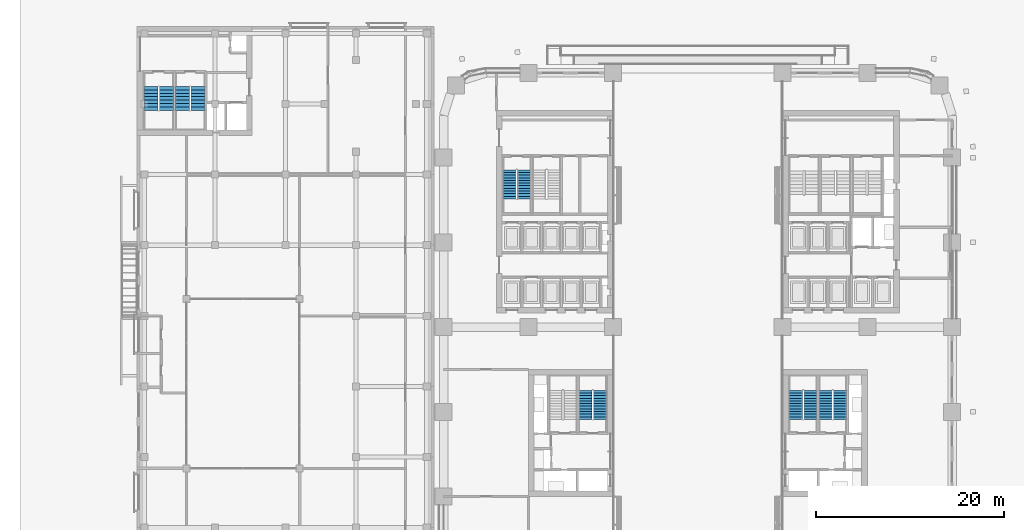
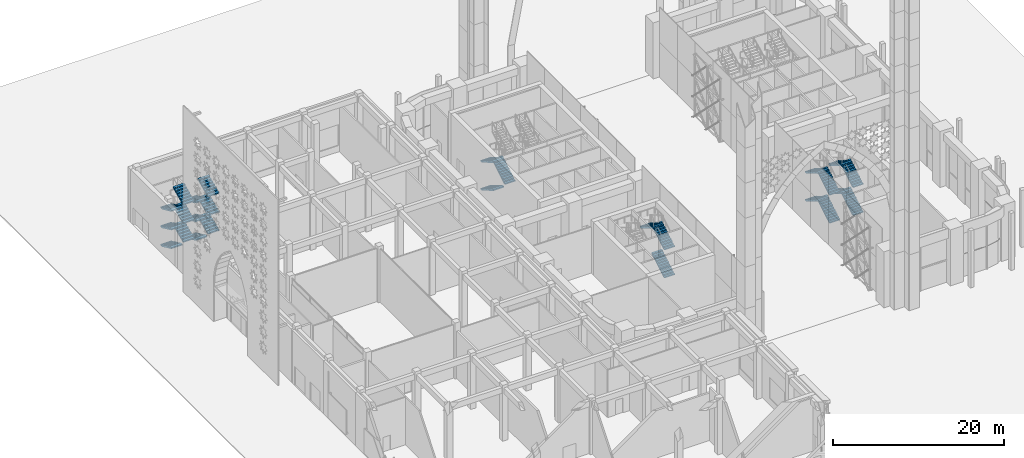
# One storey, part 39 of 64: 26 stair flights, 6 elements without a shape of their own.
"""IFC4 building model written with IfcOpenShell, lengths in metres."""

from ifc_helpers import new_model, si_unit, direction, frame, origin, place, context, subcontext, project, spatial, polyline, outline, extrude, material, type_object, element, aggregate, save


model = new_model("IFC4")

# Units and contexts
model_context = context("Model", 3, precision=1e-05, world=origin(), true_north=direction((0.0, 1.0)))
body_context = subcontext(model_context, "Body", "Model", "MODEL_VIEW")
ifc_project = project(units=[si_unit("LENGTHUNIT", "METRE"), si_unit("AREAUNIT", "SQUARE_METRE"), si_unit("VOLUMEUNIT", "CUBIC_METRE"), si_unit("PLANEANGLEUNIT", "RADIAN"), si_unit("MASSUNIT", "GRAM", prefix="KILO")], contexts=[model_context])

# Site, building, storey
site_placement = place(None, origin())
site = spatial("IfcSite", under=ifc_project, at=site_placement, CompositionType="ELEMENT")
building_placement = place(site_placement, origin())
building = spatial("IfcBuilding", under=site, at=building_placement, Name="Tessera Arch", CompositionType="ELEMENT")
storey_placement = place(building_placement, origin())
storey = spatial("IfcBuildingStorey", under=building, at=storey_placement, Name="L00", CompositionType="ELEMENT", Elevation=0.0)

# Stair, stair flights
ifc_material_1 = material(Name="Concrete C40/50", Category="concrete")
stair_type_1 = type_object("IfcStairType", Name="Dogleg stair 1400", PredefinedType="HALF_TURN_STAIR", material=ifc_material_1)
stair_1_placement = place(storey_placement, origin())
stair_1 = element("IfcStair", 1, at=stair_1_placement, inside=storey, type_object=stair_type_1, Name="L00 S2a", PredefinedType="HALF_TURN_STAIR")
ifc_material_2 = material(Name="Concrete C40/50", Category="concrete")
stair_flight_type_1 = type_object("IfcStairFlightType", Name="Stair flight 1400", PredefinedType="STRAIGHT", material=ifc_material_2)
stair_flight_1_placement = place(storey_placement, frame((7.0, 43.699951171875, 0.0), z_axis=(0.0, 0.0, 1.0), x_axis=(0.0, -1.0, 0.0)))
stair_flight_1 = element("IfcStairFlight", 2, at=stair_flight_1_placement, type_object=stair_flight_type_1, Name="S2a flight 1", NumberOfRisers=12, NumberOfTreads=11, PredefinedType="STRAIGHT", RiserHeight=0.166666667, TreadLength=0.28, context=body_context, shape_type="SweptSolid", body=[
    extrude(outline(polyline([(0.0, 0.0), (0.0, 0.166748046875), (0.280029296875, 0.166748046875), (0.280029296875, 0.333251953125), (0.56005859375, 0.333251953125), (0.56005859375, 0.5), (0.840087890625, 0.5), (0.840087890625, 0.666748046875), (1.1201171875, 0.666748046875), (1.1201171875, 0.833251953125), (1.39990234375, 0.833251953125), (1.39990234375, 1.0), (1.679931640625, 1.0), (1.679931640625, 1.166748046875), (1.9599609375, 1.166748046875), (1.9599609375, 1.333251953125), (2.239990234375, 1.333251953125), (2.239990234375, 1.5), (2.52001953125, 1.5), (2.52001953125, 1.666748046875), (2.800048828125, 1.666748046875), (2.800048828125, 1.833251953125), (3.080078125, 1.833251953125), (3.080078125, 2.0), (3.080078125, 1.658935546875), (0.29296875, 0.0), (0.0, 0.0)])), frame((0.0, 0.699951171875, 0.0), z_axis=(0.0, -1.0, 0.0), x_axis=(1.0, 0.0, 0.0)), (0.0, 0.0, 1.0), 1.39990234375),
])
stair_flight_2_placement = place(storey_placement, frame((8.550048828125, 40.6201171875, 2.0), z_axis=(0.0, 0.0, 1.0), x_axis=(0.0, 1.0, 0.0)))
stair_flight_2 = element("IfcStairFlight", 3, at=stair_flight_2_placement, type_object=stair_flight_type_1, Name="S2a flight 2", NumberOfRisers=12, NumberOfTreads=11, PredefinedType="STRAIGHT", RiserHeight=0.166666667, TreadLength=0.28, context=body_context, shape_type="SweptSolid", body=[
    extrude(outline(polyline([(0.0, 0.0), (0.0, 0.166748046875), (0.280029296875, 0.166748046875), (0.280029296875, 0.333251953125), (0.56005859375, 0.333251953125), (0.56005859375, 0.5), (0.840087890625, 0.5), (0.840087890625, 0.666748046875), (1.1201171875, 0.666748046875), (1.1201171875, 0.833251953125), (1.39990234375, 0.833251953125), (1.39990234375, 1.0), (1.679931640625, 1.0), (1.679931640625, 1.166748046875), (1.9599609375, 1.166748046875), (1.9599609375, 1.333251953125), (2.239990234375, 1.333251953125), (2.239990234375, 1.5), (2.52001953125, 1.5), (2.52001953125, 1.666748046875), (2.800048828125, 1.666748046875), (2.800048828125, 1.833251953125), (3.080078125, 1.833251953125), (3.080078125, 2.0), (3.080078125, 1.658935546875), (0.29296875, 0.0), (0.0, 0.0)])), frame((0.0, 0.699951171875, 0.0), z_axis=(0.0, -1.0, 0.0), x_axis=(1.0, 0.0, 0.0)), (0.0, 0.0, 1.0), 1.39990234375),
])
stair_flight_3_placement = place(storey_placement, frame((7.0, 43.699951171875, 4.0), z_axis=(0.0, 0.0, 1.0), x_axis=(0.0, -1.0, 0.0)))
stair_flight_3 = element("IfcStairFlight", 4, at=stair_flight_3_placement, type_object=stair_flight_type_1, Name="S2a flight 3", NumberOfRisers=12, NumberOfTreads=11, PredefinedType="STRAIGHT", RiserHeight=0.166666667, TreadLength=0.28, context=body_context, shape_type="SweptSolid", body=[
    extrude(outline(polyline([(0.0, 0.0), (0.0, 0.166748046875), (0.280029296875, 0.166748046875), (0.280029296875, 0.333251953125), (0.56005859375, 0.333251953125), (0.56005859375, 0.5), (0.840087890625, 0.5), (0.840087890625, 0.666748046875), (1.1201171875, 0.666748046875), (1.1201171875, 0.833251953125), (1.39990234375, 0.833251953125), (1.39990234375, 1.0), (1.679931640625, 1.0), (1.679931640625, 1.166748046875), (1.9599609375, 1.166748046875), (1.9599609375, 1.333251953125), (2.239990234375, 1.333251953125), (2.239990234375, 1.5), (2.52001953125, 1.5), (2.52001953125, 1.666748046875), (2.800048828125, 1.666748046875), (2.800048828125, 1.833251953125), (3.080078125, 1.833251953125), (3.080078125, 2.0), (3.080078125, 1.658935546875), (0.29296875, 0.0), (0.0, 0.0)])), frame((0.0, 0.699951171875, 0.0), z_axis=(0.0, -1.0, 0.0), x_axis=(1.0, 0.0, 0.0)), (0.0, 0.0, 1.0), 1.39990234375),
])
aggregate(stair_1, [stair_flight_1, stair_flight_2, stair_flight_3])

stair_2_placement = place(storey_placement, origin())
stair_2 = element("IfcStair", 5, at=stair_2_placement, inside=storey, type_object=stair_type_1, Name="L00 S3a", PredefinedType="HALF_TURN_STAIR")
stair_flight_4_placement = place(storey_placement, frame((38.949951171875, 17.199951171875, 0.0), z_axis=(0.0, 0.0, 1.0), x_axis=(0.0, 1.0, 0.0)))
stair_flight_4 = element("IfcStairFlight", 6, at=stair_flight_4_placement, type_object=stair_flight_type_1, Name="S3a flight 1", NumberOfRisers=12, NumberOfTreads=11, PredefinedType="STRAIGHT", RiserHeight=0.166666667, TreadLength=0.28, context=body_context, shape_type="SweptSolid", body=[
    extrude(outline(polyline([(0.0, 0.0), (0.0, 0.166748046875), (0.280029296875, 0.166748046875), (0.280029296875, 0.333251953125), (0.56005859375, 0.333251953125), (0.56005859375, 0.5), (0.840087890625, 0.5), (0.840087890625, 0.666748046875), (1.1201171875, 0.666748046875), (1.1201171875, 0.833251953125), (1.39990234375, 0.833251953125), (1.39990234375, 1.0), (1.679931640625, 1.0), (1.679931640625, 1.166748046875), (1.9599609375, 1.166748046875), (1.9599609375, 1.333251953125), (2.239990234375, 1.333251953125), (2.239990234375, 1.5), (2.52001953125, 1.5), (2.52001953125, 1.666748046875), (2.800048828125, 1.666748046875), (2.800048828125, 1.833251953125), (3.080078125, 1.833251953125), (3.080078125, 2.0), (3.080078125, 1.658935546875), (0.29296875, 0.0), (0.0, 0.0)])), frame((0.0, 0.699951171875, 0.0), z_axis=(0.0, -1.0, 0.0), x_axis=(1.0, 0.0, 0.0)), (0.0, 0.0, 1.0), 1.39990234375),
])
stair_flight_5_placement = place(storey_placement, frame((37.39990234375, 20.280029296875, 2.0), z_axis=(0.0, 0.0, 1.0), x_axis=(0.0, -1.0, 0.0)))
stair_flight_5 = element("IfcStairFlight", 7, at=stair_flight_5_placement, type_object=stair_flight_type_1, Name="S3a flight 2", NumberOfRisers=12, NumberOfTreads=11, PredefinedType="STRAIGHT", RiserHeight=0.166666667, TreadLength=0.28, context=body_context, shape_type="SweptSolid", body=[
    extrude(outline(polyline([(0.0, 0.0), (0.0, 0.166748046875), (0.280029296875, 0.166748046875), (0.280029296875, 0.333251953125), (0.56005859375, 0.333251953125), (0.56005859375, 0.5), (0.840087890625, 0.5), (0.840087890625, 0.666748046875), (1.1201171875, 0.666748046875), (1.1201171875, 0.833251953125), (1.39990234375, 0.833251953125), (1.39990234375, 1.0), (1.679931640625, 1.0), (1.679931640625, 1.166748046875), (1.9599609375, 1.166748046875), (1.9599609375, 1.333251953125), (2.239990234375, 1.333251953125), (2.239990234375, 1.5), (2.52001953125, 1.5), (2.52001953125, 1.666748046875), (2.800048828125, 1.666748046875), (2.800048828125, 1.833251953125), (3.080078125, 1.833251953125), (3.080078125, 2.0), (3.080078125, 1.658935546875), (0.29296875, 0.0), (0.0, 0.0)])), frame((0.0, 0.699951171875, 0.0), z_axis=(0.0, -1.0, 0.0), x_axis=(1.0, 0.0, 0.0)), (0.0, 0.0, 1.0), 1.39990234375),
])
stair_flight_6_placement = place(storey_placement, frame((38.949951171875, 17.199951171875, 4.0), z_axis=(0.0, 0.0, 1.0), x_axis=(0.0, 1.0, 0.0)))
stair_flight_6 = element("IfcStairFlight", 8, at=stair_flight_6_placement, type_object=stair_flight_type_1, Name="S3a flight 3", NumberOfRisers=12, NumberOfTreads=11, PredefinedType="STRAIGHT", RiserHeight=0.166666667, TreadLength=0.28, context=body_context, shape_type="SweptSolid", body=[
    extrude(outline(polyline([(0.0, 0.0), (0.0, 0.166748046875), (0.280029296875, 0.166748046875), (0.280029296875, 0.333251953125), (0.56005859375, 0.333251953125), (0.56005859375, 0.5), (0.840087890625, 0.5), (0.840087890625, 0.666748046875), (1.1201171875, 0.666748046875), (1.1201171875, 0.833251953125), (1.39990234375, 0.833251953125), (1.39990234375, 1.0), (1.679931640625, 1.0), (1.679931640625, 1.166748046875), (1.9599609375, 1.166748046875), (1.9599609375, 1.333251953125), (2.239990234375, 1.333251953125), (2.239990234375, 1.5), (2.52001953125, 1.5), (2.52001953125, 1.666748046875), (2.800048828125, 1.666748046875), (2.800048828125, 1.833251953125), (3.080078125, 1.833251953125), (3.080078125, 2.0), (3.080078125, 1.658935546875), (0.29296875, 0.0), (0.0, 0.0)])), frame((0.0, 0.699951171875, 0.0), z_axis=(0.0, -1.0, 0.0), x_axis=(1.0, 0.0, 0.0)), (0.0, 0.0, 1.0), 1.39990234375),
])
stair_flight_7_placement = place(storey_placement, frame((37.39990234375, 20.280029296875, 6.0), z_axis=(0.0, 0.0, 1.0), x_axis=(0.0, -1.0, 0.0)))
stair_flight_7 = element("IfcStairFlight", 9, at=stair_flight_7_placement, type_object=stair_flight_type_1, Name="S3a flight 4", NumberOfRisers=12, NumberOfTreads=11, PredefinedType="STRAIGHT", RiserHeight=0.166666667, TreadLength=0.28, context=body_context, shape_type="SweptSolid", body=[
    extrude(outline(polyline([(0.0, 0.0), (0.0, 0.166748046875), (0.280029296875, 0.166748046875), (0.280029296875, 0.333251953125), (0.56005859375, 0.333251953125), (0.56005859375, 0.5), (0.840087890625, 0.5), (0.840087890625, 0.666748046875), (1.1201171875, 0.666748046875), (1.1201171875, 0.833251953125), (1.39990234375, 0.833251953125), (1.39990234375, 1.0), (1.679931640625, 1.0), (1.679931640625, 1.166748046875), (1.9599609375, 1.166748046875), (1.9599609375, 1.333251953125), (2.239990234375, 1.333251953125), (2.239990234375, 1.5), (2.52001953125, 1.5), (2.52001953125, 1.666748046875), (2.800048828125, 1.666748046875), (2.800048828125, 1.833251953125), (3.080078125, 1.833251953125), (3.080078125, 2.0), (3.080078125, 1.658935546875), (0.29296875, 0.0), (0.0, 0.0)])), frame((0.0, 0.699951171875, 0.0), z_axis=(0.0, -1.0, 0.0), x_axis=(1.0, 0.0, 0.0)), (0.0, 0.0, 1.0), 1.39990234375),
])
aggregate(stair_2, [stair_flight_4, stair_flight_5, stair_flight_6, stair_flight_7])

stair_3_placement = place(storey_placement, origin())
stair_3 = element("IfcStair", 10, at=stair_3_placement, inside=storey, type_object=stair_type_1, Name="L00 S3b", PredefinedType="HALF_TURN_STAIR")
stair_flight_8_placement = place(storey_placement, frame((42.10009765625, 17.199951171875, 0.0), z_axis=(0.0, 0.0, 1.0), x_axis=(0.0, 1.0, 0.0)))
stair_flight_8 = element("IfcStairFlight", 11, at=stair_flight_8_placement, type_object=stair_flight_type_1, Name="S3b flight 1", NumberOfRisers=12, NumberOfTreads=11, PredefinedType="STRAIGHT", RiserHeight=0.166666667, TreadLength=0.28, context=body_context, shape_type="SweptSolid", body=[
    extrude(outline(polyline([(0.0, 0.0), (0.0, 0.166748046875), (0.280029296875, 0.166748046875), (0.280029296875, 0.333251953125), (0.56005859375, 0.333251953125), (0.56005859375, 0.5), (0.840087890625, 0.5), (0.840087890625, 0.666748046875), (1.1201171875, 0.666748046875), (1.1201171875, 0.833251953125), (1.39990234375, 0.833251953125), (1.39990234375, 1.0), (1.679931640625, 1.0), (1.679931640625, 1.166748046875), (1.9599609375, 1.166748046875), (1.9599609375, 1.333251953125), (2.239990234375, 1.333251953125), (2.239990234375, 1.5), (2.52001953125, 1.5), (2.52001953125, 1.666748046875), (2.800048828125, 1.666748046875), (2.800048828125, 1.833251953125), (3.080078125, 1.833251953125), (3.080078125, 2.0), (3.080078125, 1.658935546875), (0.29296875, 0.0), (0.0, 0.0)])), frame((0.0, 0.699951171875, 0.0), z_axis=(0.0, -1.0, 0.0), x_axis=(1.0, 0.0, 0.0)), (0.0, 0.0, 1.0), 1.39990234375),
])
stair_flight_9_placement = place(storey_placement, frame((40.550048828125, 20.280029296875, 2.0), z_axis=(0.0, 0.0, 1.0), x_axis=(0.0, -1.0, 0.0)))
stair_flight_9 = element("IfcStairFlight", 12, at=stair_flight_9_placement, type_object=stair_flight_type_1, Name="S3b flight 2", NumberOfRisers=12, NumberOfTreads=11, PredefinedType="STRAIGHT", RiserHeight=0.166666667, TreadLength=0.28, context=body_context, shape_type="SweptSolid", body=[
    extrude(outline(polyline([(0.0, 0.0), (0.0, 0.166748046875), (0.280029296875, 0.166748046875), (0.280029296875, 0.333251953125), (0.56005859375, 0.333251953125), (0.56005859375, 0.5), (0.840087890625, 0.5), (0.840087890625, 0.666748046875), (1.1201171875, 0.666748046875), (1.1201171875, 0.833251953125), (1.39990234375, 0.833251953125), (1.39990234375, 1.0), (1.679931640625, 1.0), (1.679931640625, 1.166748046875), (1.9599609375, 1.166748046875), (1.9599609375, 1.333251953125), (2.239990234375, 1.333251953125), (2.239990234375, 1.5), (2.52001953125, 1.5), (2.52001953125, 1.666748046875), (2.800048828125, 1.666748046875), (2.800048828125, 1.833251953125), (3.080078125, 1.833251953125), (3.080078125, 2.0), (3.080078125, 1.658935546875), (0.29296875, 0.0), (0.0, 0.0)])), frame((0.0, 0.699951171875, 0.0), z_axis=(0.0, -1.0, 0.0), x_axis=(1.0, 0.0, 0.0)), (0.0, 0.0, 1.0), 1.39990234375),
])
stair_flight_10_placement = place(storey_placement, frame((42.10009765625, 17.199951171875, 4.0), z_axis=(0.0, 0.0, 1.0), x_axis=(0.0, 1.0, 0.0)))
stair_flight_10 = element("IfcStairFlight", 13, at=stair_flight_10_placement, type_object=stair_flight_type_1, Name="S3b flight 3", NumberOfRisers=12, NumberOfTreads=11, PredefinedType="STRAIGHT", RiserHeight=0.166666667, TreadLength=0.28, context=body_context, shape_type="SweptSolid", body=[
    extrude(outline(polyline([(0.0, 0.0), (0.0, 0.166748046875), (0.280029296875, 0.166748046875), (0.280029296875, 0.333251953125), (0.56005859375, 0.333251953125), (0.56005859375, 0.5), (0.840087890625, 0.5), (0.840087890625, 0.666748046875), (1.1201171875, 0.666748046875), (1.1201171875, 0.833251953125), (1.39990234375, 0.833251953125), (1.39990234375, 1.0), (1.679931640625, 1.0), (1.679931640625, 1.166748046875), (1.9599609375, 1.166748046875), (1.9599609375, 1.333251953125), (2.239990234375, 1.333251953125), (2.239990234375, 1.5), (2.52001953125, 1.5), (2.52001953125, 1.666748046875), (2.800048828125, 1.666748046875), (2.800048828125, 1.833251953125), (3.080078125, 1.833251953125), (3.080078125, 2.0), (3.080078125, 1.658935546875), (0.29296875, 0.0), (0.0, 0.0)])), frame((0.0, 0.699951171875, 0.0), z_axis=(0.0, -1.0, 0.0), x_axis=(1.0, 0.0, 0.0)), (0.0, 0.0, 1.0), 1.39990234375),
])
stair_flight_11_placement = place(storey_placement, frame((40.550048828125, 20.280029296875, 6.0), z_axis=(0.0, 0.0, 1.0), x_axis=(0.0, -1.0, 0.0)))
stair_flight_11 = element("IfcStairFlight", 14, at=stair_flight_11_placement, type_object=stair_flight_type_1, Name="S3b flight 4", NumberOfRisers=12, NumberOfTreads=11, PredefinedType="STRAIGHT", RiserHeight=0.166666667, TreadLength=0.28, context=body_context, shape_type="SweptSolid", body=[
    extrude(outline(polyline([(0.0, 0.0), (0.0, 0.166748046875), (0.280029296875, 0.166748046875), (0.280029296875, 0.333251953125), (0.56005859375, 0.333251953125), (0.56005859375, 0.5), (0.840087890625, 0.5), (0.840087890625, 0.666748046875), (1.1201171875, 0.666748046875), (1.1201171875, 0.833251953125), (1.39990234375, 0.833251953125), (1.39990234375, 1.0), (1.679931640625, 1.0), (1.679931640625, 1.166748046875), (1.9599609375, 1.166748046875), (1.9599609375, 1.333251953125), (2.239990234375, 1.333251953125), (2.239990234375, 1.5), (2.52001953125, 1.5), (2.52001953125, 1.666748046875), (2.800048828125, 1.666748046875), (2.800048828125, 1.833251953125), (3.080078125, 1.833251953125), (3.080078125, 2.0), (3.080078125, 1.658935546875), (0.29296875, 0.0), (0.0, 0.0)])), frame((0.0, 0.699951171875, 0.0), z_axis=(0.0, -1.0, 0.0), x_axis=(1.0, 0.0, 0.0)), (0.0, 0.0, 1.0), 1.39990234375),
])
aggregate(stair_3, [stair_flight_8, stair_flight_9, stair_flight_10, stair_flight_11])

stair_4_placement = place(storey_placement, origin())
stair_4 = element("IfcStair", 15, at=stair_4_placement, inside=storey, type_object=stair_type_1, Name="L00 S4a", PredefinedType="HALF_TURN_STAIR")
stair_flight_12_placement = place(storey_placement, frame((16.60009765625, 17.199951171875, 0.0), z_axis=(0.0, 0.0, 1.0), x_axis=(0.0, 1.0, 0.0)))
stair_flight_12 = element("IfcStairFlight", 16, at=stair_flight_12_placement, type_object=stair_flight_type_1, Name="S4a flight 1", NumberOfRisers=12, NumberOfTreads=11, PredefinedType="STRAIGHT", RiserHeight=0.166666667, TreadLength=0.28, context=body_context, shape_type="SweptSolid", body=[
    extrude(outline(polyline([(0.0, 0.0), (0.0, 0.166748046875), (0.280029296875, 0.166748046875), (0.280029296875, 0.333251953125), (0.56005859375, 0.333251953125), (0.56005859375, 0.5), (0.840087890625, 0.5), (0.840087890625, 0.666748046875), (1.1201171875, 0.666748046875), (1.1201171875, 0.833251953125), (1.39990234375, 0.833251953125), (1.39990234375, 1.0), (1.679931640625, 1.0), (1.679931640625, 1.166748046875), (1.9599609375, 1.166748046875), (1.9599609375, 1.333251953125), (2.239990234375, 1.333251953125), (2.239990234375, 1.5), (2.52001953125, 1.5), (2.52001953125, 1.666748046875), (2.800048828125, 1.666748046875), (2.800048828125, 1.833251953125), (3.080078125, 1.833251953125), (3.080078125, 2.0), (3.080078125, 1.658935546875), (0.29296875, 0.0), (0.0, 0.0)])), frame((0.0, 0.699951171875, 0.0), z_axis=(0.0, -1.0, 0.0), x_axis=(1.0, 0.0, 0.0)), (0.0, 0.0, 1.0), 1.39990234375),
])
stair_flight_13_placement = place(storey_placement, frame((16.60009765625, 17.199951171875, 4.0), z_axis=(0.0, 0.0, 1.0), x_axis=(0.0, 1.0, 0.0)))
stair_flight_13 = element("IfcStairFlight", 17, at=stair_flight_13_placement, type_object=stair_flight_type_1, Name="S4a flight 3", NumberOfRisers=12, NumberOfTreads=11, PredefinedType="STRAIGHT", RiserHeight=0.166666667, TreadLength=0.28, context=body_context, shape_type="SweptSolid", body=[
    extrude(outline(polyline([(0.0, 0.0), (0.0, 0.166748046875), (0.280029296875, 0.166748046875), (0.280029296875, 0.333251953125), (0.56005859375, 0.333251953125), (0.56005859375, 0.5), (0.840087890625, 0.5), (0.840087890625, 0.666748046875), (1.1201171875, 0.666748046875), (1.1201171875, 0.833251953125), (1.39990234375, 0.833251953125), (1.39990234375, 1.0), (1.679931640625, 1.0), (1.679931640625, 1.166748046875), (1.9599609375, 1.166748046875), (1.9599609375, 1.333251953125), (2.239990234375, 1.333251953125), (2.239990234375, 1.5), (2.52001953125, 1.5), (2.52001953125, 1.666748046875), (2.800048828125, 1.666748046875), (2.800048828125, 1.833251953125), (3.080078125, 1.833251953125), (3.080078125, 2.0), (3.080078125, 1.658935546875), (0.29296875, 0.0), (0.0, 0.0)])), frame((0.0, 0.699951171875, 0.0), z_axis=(0.0, -1.0, 0.0), x_axis=(1.0, 0.0, 0.0)), (0.0, 0.0, 1.0), 1.39990234375),
])
stair_flight_14_placement = place(storey_placement, frame((15.050048828125, 20.280029296875, 6.0), z_axis=(0.0, 0.0, 1.0), x_axis=(0.0, -1.0, 0.0)))
stair_flight_14 = element("IfcStairFlight", 18, at=stair_flight_14_placement, type_object=stair_flight_type_1, Name="S4a flight 4", NumberOfRisers=12, NumberOfTreads=11, PredefinedType="STRAIGHT", RiserHeight=0.166666667, TreadLength=0.28, context=body_context, shape_type="SweptSolid", body=[
    extrude(outline(polyline([(0.0, 0.0), (0.0, 0.166748046875), (0.280029296875, 0.166748046875), (0.280029296875, 0.333251953125), (0.56005859375, 0.333251953125), (0.56005859375, 0.5), (0.840087890625, 0.5), (0.840087890625, 0.666748046875), (1.1201171875, 0.666748046875), (1.1201171875, 0.833251953125), (1.39990234375, 0.833251953125), (1.39990234375, 1.0), (1.679931640625, 1.0), (1.679931640625, 1.166748046875), (1.9599609375, 1.166748046875), (1.9599609375, 1.333251953125), (2.239990234375, 1.333251953125), (2.239990234375, 1.5), (2.52001953125, 1.5), (2.52001953125, 1.666748046875), (2.800048828125, 1.666748046875), (2.800048828125, 1.833251953125), (3.080078125, 1.833251953125), (3.080078125, 2.0), (3.080078125, 1.658935546875), (0.29296875, 0.0), (0.0, 0.0)])), frame((0.0, 0.699951171875, 0.0), z_axis=(0.0, -1.0, 0.0), x_axis=(1.0, 0.0, 0.0)), (0.0, 0.0, 1.0), 1.39990234375),
])
aggregate(stair_4, [stair_flight_12, stair_flight_13, stair_flight_14])

ifc_material_3 = material(Name="Concrete C40/50", Category="concrete")
stair_type_2 = type_object("IfcStairType", Name="Dogleg stair 1500", PredefinedType="HALF_TURN_STAIR", material=ifc_material_3)
stair_5_placement = place(storey_placement, origin())
stair_5 = element("IfcStair", 19, at=stair_5_placement, inside=storey, type_object=stair_type_2, Name="L00 M1a", PredefinedType="HALF_TURN_STAIR")
ifc_material_4 = material(Name="Concrete C40/50", Category="concrete")
stair_flight_type_2 = type_object("IfcStairFlightType", Name="Stair flight 1500", PredefinedType="STRAIGHT", material=ifc_material_4)
stair_flight_15_placement = place(storey_placement, frame((-31.10009765625, 52.550048828125, 0.0), z_axis=(0.0, 0.0, 1.0), x_axis=(0.0, -1.0, 0.0)))
stair_flight_15 = element("IfcStairFlight", 20, at=stair_flight_15_placement, type_object=stair_flight_type_2, Name="M1a flight 1", NumberOfRisers=8, NumberOfTreads=7, PredefinedType="STRAIGHT", RiserHeight=0.166666667, TreadLength=0.36, context=body_context, shape_type="SweptSolid", body=[
    extrude(outline(polyline([(0.0, 0.0), (0.0, 0.166748046875), (0.360107421875, 0.166748046875), (0.360107421875, 0.333251953125), (0.719970703125, 0.333251953125), (0.719970703125, 0.5), (1.080078125, 0.5), (1.080078125, 0.666748046875), (1.43994140625, 0.666748046875), (1.43994140625, 0.833251953125), (1.800048828125, 0.833251953125), (1.800048828125, 1.0), (2.159912109375, 1.0), (2.159912109375, 1.166748046875), (2.52001953125, 1.166748046875), (2.52001953125, 1.333251953125), (2.52001953125, 1.00146484375), (0.356689453125, 0.0), (0.0, 0.0)])), frame((0.0, 0.75, 0.0), z_axis=(0.0, -1.0, 0.0), x_axis=(1.0, 0.0, 0.0)), (0.0, 0.0, 1.0), 1.5),
])
stair_flight_16_placement = place(storey_placement, frame((-29.449951171875, 50.030029296875, 1.333251953125), z_axis=(0.0, 0.0, 1.0), x_axis=(0.0, 1.0, 0.0)))
stair_flight_16 = element("IfcStairFlight", 21, at=stair_flight_16_placement, type_object=stair_flight_type_2, Name="M1a flight 2", NumberOfRisers=8, NumberOfTreads=7, PredefinedType="STRAIGHT", RiserHeight=0.166666667, TreadLength=0.36, context=body_context, shape_type="SweptSolid", body=[
    extrude(outline(polyline([(0.0, 0.0), (0.0, 0.166748046875), (0.360107421875, 0.166748046875), (0.360107421875, 0.333251953125), (0.719970703125, 0.333251953125), (0.719970703125, 0.5), (1.080078125, 0.5), (1.080078125, 0.666748046875), (1.43994140625, 0.666748046875), (1.43994140625, 0.833251953125), (1.800048828125, 0.833251953125), (1.800048828125, 1.0), (2.159912109375, 1.0), (2.159912109375, 1.166748046875), (2.52001953125, 1.166748046875), (2.52001953125, 1.333251953125), (2.52001953125, 1.00146484375), (0.356689453125, 0.0), (0.0, 0.0)])), frame((0.0, 0.75, 0.0), z_axis=(0.0, -1.0, 0.0), x_axis=(1.0, 0.0, 0.0)), (0.0, 0.0, 1.0), 1.5),
])
stair_flight_17_placement = place(storey_placement, frame((-31.10009765625, 52.550048828125, 2.666748046875), z_axis=(0.0, 0.0, 1.0), x_axis=(0.0, -1.0, 0.0)))
stair_flight_17 = element("IfcStairFlight", 22, at=stair_flight_17_placement, type_object=stair_flight_type_2, Name="M1a flight 3", NumberOfRisers=8, NumberOfTreads=7, PredefinedType="STRAIGHT", RiserHeight=0.166666667, TreadLength=0.36, context=body_context, shape_type="SweptSolid", body=[
    extrude(outline(polyline([(0.0, 0.0), (0.0, 0.166748046875), (0.360107421875, 0.166748046875), (0.360107421875, 0.333251953125), (0.719970703125, 0.333251953125), (0.719970703125, 0.5), (1.080078125, 0.5), (1.080078125, 0.666748046875), (1.43994140625, 0.666748046875), (1.43994140625, 0.833251953125), (1.800048828125, 0.833251953125), (1.800048828125, 1.0), (2.159912109375, 1.0), (2.159912109375, 1.166748046875), (2.52001953125, 1.166748046875), (2.52001953125, 1.333251953125), (2.52001953125, 1.00146484375), (0.356689453125, 0.0), (0.0, 0.0)])), frame((0.0, 0.75, 0.0), z_axis=(0.0, -1.0, 0.0), x_axis=(1.0, 0.0, 0.0)), (0.0, 0.0, 1.0), 1.5),
])
stair_flight_18_placement = place(storey_placement, frame((-29.449951171875, 50.030029296875, 4.0), z_axis=(0.0, 0.0, 1.0), x_axis=(0.0, 1.0, 0.0)))
stair_flight_18 = element("IfcStairFlight", 23, at=stair_flight_18_placement, type_object=stair_flight_type_2, Name="M1a flight 4", NumberOfRisers=8, NumberOfTreads=7, PredefinedType="STRAIGHT", RiserHeight=0.166666667, TreadLength=0.36, context=body_context, shape_type="SweptSolid", body=[
    extrude(outline(polyline([(0.0, 0.0), (0.0, 0.166748046875), (0.360107421875, 0.166748046875), (0.360107421875, 0.333251953125), (0.719970703125, 0.333251953125), (0.719970703125, 0.5), (1.080078125, 0.5), (1.080078125, 0.666748046875), (1.43994140625, 0.666748046875), (1.43994140625, 0.833251953125), (1.800048828125, 0.833251953125), (1.800048828125, 1.0), (2.159912109375, 1.0), (2.159912109375, 1.166748046875), (2.52001953125, 1.166748046875), (2.52001953125, 1.333251953125), (2.52001953125, 1.00146484375), (0.356689453125, 0.0), (0.0, 0.0)])), frame((0.0, 0.75, 0.0), z_axis=(0.0, -1.0, 0.0), x_axis=(1.0, 0.0, 0.0)), (0.0, 0.0, 1.0), 1.5),
])
stair_flight_19_placement = place(storey_placement, frame((-31.10009765625, 52.550048828125, 5.333251953125), z_axis=(0.0, 0.0, 1.0), x_axis=(0.0, -1.0, 0.0)))
stair_flight_19 = element("IfcStairFlight", 24, at=stair_flight_19_placement, type_object=stair_flight_type_2, Name="M1a flight 5", NumberOfRisers=8, NumberOfTreads=7, PredefinedType="STRAIGHT", RiserHeight=0.166666667, TreadLength=0.36, context=body_context, shape_type="SweptSolid", body=[
    extrude(outline(polyline([(0.0, 0.0), (0.0, 0.166748046875), (0.360107421875, 0.166748046875), (0.360107421875, 0.333251953125), (0.719970703125, 0.333251953125), (0.719970703125, 0.5), (1.080078125, 0.5), (1.080078125, 0.666748046875), (1.43994140625, 0.666748046875), (1.43994140625, 0.833251953125), (1.800048828125, 0.833251953125), (1.800048828125, 1.0), (2.159912109375, 1.0), (2.159912109375, 1.166748046875), (2.52001953125, 1.166748046875), (2.52001953125, 1.333251953125), (2.52001953125, 1.00146484375), (0.356689453125, 0.0), (0.0, 0.0)])), frame((0.0, 0.75, 0.0), z_axis=(0.0, -1.0, 0.0), x_axis=(1.0, 0.0, 0.0)), (0.0, 0.0, 1.0), 1.5),
])
stair_flight_20_placement = place(storey_placement, frame((-29.449951171875, 50.030029296875, 6.666748046875), z_axis=(0.0, 0.0, 1.0), x_axis=(0.0, 1.0, 0.0)))
stair_flight_20 = element("IfcStairFlight", 25, at=stair_flight_20_placement, type_object=stair_flight_type_2, Name="M1a flight 6", NumberOfRisers=8, NumberOfTreads=7, PredefinedType="STRAIGHT", RiserHeight=0.166666667, TreadLength=0.36, context=body_context, shape_type="SweptSolid", body=[
    extrude(outline(polyline([(0.0, 0.0), (0.0, 0.166748046875), (0.360107421875, 0.166748046875), (0.360107421875, 0.333251953125), (0.719970703125, 0.333251953125), (0.719970703125, 0.5), (1.080078125, 0.5), (1.080078125, 0.666748046875), (1.43994140625, 0.666748046875), (1.43994140625, 0.833251953125), (1.800048828125, 0.833251953125), (1.800048828125, 1.0), (2.159912109375, 1.0), (2.159912109375, 1.166748046875), (2.52001953125, 1.166748046875), (2.52001953125, 1.333251953125), (2.52001953125, 1.00146484375), (0.356689453125, 0.0), (0.0, 0.0)])), frame((0.0, 0.75, 0.0), z_axis=(0.0, -1.0, 0.0), x_axis=(1.0, 0.0, 0.0)), (0.0, 0.0, 1.0), 1.5),
])
aggregate(stair_5, [stair_flight_15, stair_flight_16, stair_flight_17, stair_flight_18, stair_flight_19, stair_flight_20])

stair_6_placement = place(storey_placement, origin())
stair_6 = element("IfcStair", 26, at=stair_6_placement, inside=storey, type_object=stair_type_2, Name="L00 M1b", PredefinedType="HALF_TURN_STAIR")
stair_flight_21_placement = place(storey_placement, frame((-27.75, 52.550048828125, 0.0), z_axis=(0.0, 0.0, 1.0), x_axis=(0.0, -1.0, 0.0)))
stair_flight_21 = element("IfcStairFlight", 27, at=stair_flight_21_placement, type_object=stair_flight_type_2, Name="M1b flight 1", NumberOfRisers=8, NumberOfTreads=7, PredefinedType="STRAIGHT", RiserHeight=0.166666667, TreadLength=0.36, context=body_context, shape_type="SweptSolid", body=[
    extrude(outline(polyline([(0.0, 0.0), (0.0, 0.166748046875), (0.360107421875, 0.166748046875), (0.360107421875, 0.333251953125), (0.719970703125, 0.333251953125), (0.719970703125, 0.5), (1.080078125, 0.5), (1.080078125, 0.666748046875), (1.43994140625, 0.666748046875), (1.43994140625, 0.833251953125), (1.800048828125, 0.833251953125), (1.800048828125, 1.0), (2.159912109375, 1.0), (2.159912109375, 1.166748046875), (2.52001953125, 1.166748046875), (2.52001953125, 1.333251953125), (2.52001953125, 1.00146484375), (0.356689453125, 0.0), (0.0, 0.0)])), frame((0.0, 0.75, 0.0), z_axis=(0.0, -1.0, 0.0), x_axis=(1.0, 0.0, 0.0)), (0.0, 0.0, 1.0), 1.5),
])
stair_flight_22_placement = place(storey_placement, frame((-26.10009765625, 50.030029296875, 1.333251953125), z_axis=(0.0, 0.0, 1.0), x_axis=(0.0, 1.0, 0.0)))
stair_flight_22 = element("IfcStairFlight", 28, at=stair_flight_22_placement, type_object=stair_flight_type_2, Name="M1b flight 2", NumberOfRisers=8, NumberOfTreads=7, PredefinedType="STRAIGHT", RiserHeight=0.166666667, TreadLength=0.36, context=body_context, shape_type="SweptSolid", body=[
    extrude(outline(polyline([(0.0, 0.0), (0.0, 0.166748046875), (0.360107421875, 0.166748046875), (0.360107421875, 0.333251953125), (0.719970703125, 0.333251953125), (0.719970703125, 0.5), (1.080078125, 0.5), (1.080078125, 0.666748046875), (1.43994140625, 0.666748046875), (1.43994140625, 0.833251953125), (1.800048828125, 0.833251953125), (1.800048828125, 1.0), (2.159912109375, 1.0), (2.159912109375, 1.166748046875), (2.52001953125, 1.166748046875), (2.52001953125, 1.333251953125), (2.52001953125, 1.00146484375), (0.356689453125, 0.0), (0.0, 0.0)])), frame((0.0, 0.75, 0.0), z_axis=(0.0, -1.0, 0.0), x_axis=(1.0, 0.0, 0.0)), (0.0, 0.0, 1.0), 1.5),
])
stair_flight_23_placement = place(storey_placement, frame((-27.75, 52.550048828125, 2.666748046875), z_axis=(0.0, 0.0, 1.0), x_axis=(0.0, -1.0, 0.0)))
stair_flight_23 = element("IfcStairFlight", 29, at=stair_flight_23_placement, type_object=stair_flight_type_2, Name="M1b flight 3", NumberOfRisers=8, NumberOfTreads=7, PredefinedType="STRAIGHT", RiserHeight=0.166666667, TreadLength=0.36, context=body_context, shape_type="SweptSolid", body=[
    extrude(outline(polyline([(0.0, 0.0), (0.0, 0.166748046875), (0.360107421875, 0.166748046875), (0.360107421875, 0.333251953125), (0.719970703125, 0.333251953125), (0.719970703125, 0.5), (1.080078125, 0.5), (1.080078125, 0.666748046875), (1.43994140625, 0.666748046875), (1.43994140625, 0.833251953125), (1.800048828125, 0.833251953125), (1.800048828125, 1.0), (2.159912109375, 1.0), (2.159912109375, 1.166748046875), (2.52001953125, 1.166748046875), (2.52001953125, 1.333251953125), (2.52001953125, 1.00146484375), (0.356689453125, 0.0), (0.0, 0.0)])), frame((0.0, 0.75, 0.0), z_axis=(0.0, -1.0, 0.0), x_axis=(1.0, 0.0, 0.0)), (0.0, 0.0, 1.0), 1.5),
])
stair_flight_24_placement = place(storey_placement, frame((-26.10009765625, 50.030029296875, 4.0), z_axis=(0.0, 0.0, 1.0), x_axis=(0.0, 1.0, 0.0)))
stair_flight_24 = element("IfcStairFlight", 30, at=stair_flight_24_placement, type_object=stair_flight_type_2, Name="M1b flight 4", NumberOfRisers=8, NumberOfTreads=7, PredefinedType="STRAIGHT", RiserHeight=0.166666667, TreadLength=0.36, context=body_context, shape_type="SweptSolid", body=[
    extrude(outline(polyline([(0.0, 0.0), (0.0, 0.166748046875), (0.360107421875, 0.166748046875), (0.360107421875, 0.333251953125), (0.719970703125, 0.333251953125), (0.719970703125, 0.5), (1.080078125, 0.5), (1.080078125, 0.666748046875), (1.43994140625, 0.666748046875), (1.43994140625, 0.833251953125), (1.800048828125, 0.833251953125), (1.800048828125, 1.0), (2.159912109375, 1.0), (2.159912109375, 1.166748046875), (2.52001953125, 1.166748046875), (2.52001953125, 1.333251953125), (2.52001953125, 1.00146484375), (0.356689453125, 0.0), (0.0, 0.0)])), frame((0.0, 0.75, 0.0), z_axis=(0.0, -1.0, 0.0), x_axis=(1.0, 0.0, 0.0)), (0.0, 0.0, 1.0), 1.5),
])
stair_flight_25_placement = place(storey_placement, frame((-27.75, 52.550048828125, 5.333251953125), z_axis=(0.0, 0.0, 1.0), x_axis=(0.0, -1.0, 0.0)))
stair_flight_25 = element("IfcStairFlight", 31, at=stair_flight_25_placement, type_object=stair_flight_type_2, Name="M1b flight 5", NumberOfRisers=8, NumberOfTreads=7, PredefinedType="STRAIGHT", RiserHeight=0.166666667, TreadLength=0.36, context=body_context, shape_type="SweptSolid", body=[
    extrude(outline(polyline([(0.0, 0.0), (0.0, 0.166748046875), (0.360107421875, 0.166748046875), (0.360107421875, 0.333251953125), (0.719970703125, 0.333251953125), (0.719970703125, 0.5), (1.080078125, 0.5), (1.080078125, 0.666748046875), (1.43994140625, 0.666748046875), (1.43994140625, 0.833251953125), (1.800048828125, 0.833251953125), (1.800048828125, 1.0), (2.159912109375, 1.0), (2.159912109375, 1.166748046875), (2.52001953125, 1.166748046875), (2.52001953125, 1.333251953125), (2.52001953125, 1.00146484375), (0.356689453125, 0.0), (0.0, 0.0)])), frame((0.0, 0.75, 0.0), z_axis=(0.0, -1.0, 0.0), x_axis=(1.0, 0.0, 0.0)), (0.0, 0.0, 1.0), 1.5),
])
stair_flight_26_placement = place(storey_placement, frame((-26.10009765625, 50.030029296875, 6.666748046875), z_axis=(0.0, 0.0, 1.0), x_axis=(0.0, 1.0, 0.0)))
stair_flight_26 = element("IfcStairFlight", 32, at=stair_flight_26_placement, type_object=stair_flight_type_2, Name="M1b flight 6", NumberOfRisers=8, NumberOfTreads=7, PredefinedType="STRAIGHT", RiserHeight=0.166666667, TreadLength=0.36, context=body_context, shape_type="SweptSolid", body=[
    extrude(outline(polyline([(0.0, 0.0), (0.0, 0.166748046875), (0.360107421875, 0.166748046875), (0.360107421875, 0.333251953125), (0.719970703125, 0.333251953125), (0.719970703125, 0.5), (1.080078125, 0.5), (1.080078125, 0.666748046875), (1.43994140625, 0.666748046875), (1.43994140625, 0.833251953125), (1.800048828125, 0.833251953125), (1.800048828125, 1.0), (2.159912109375, 1.0), (2.159912109375, 1.166748046875), (2.52001953125, 1.166748046875), (2.52001953125, 1.333251953125), (2.52001953125, 1.00146484375), (0.356689453125, 0.0), (0.0, 0.0)])), frame((0.0, 0.75, 0.0), z_axis=(0.0, -1.0, 0.0), x_axis=(1.0, 0.0, 0.0)), (0.0, 0.0, 1.0), 1.5),
])
aggregate(stair_6, [stair_flight_21, stair_flight_22, stair_flight_23, stair_flight_24, stair_flight_25, stair_flight_26])

save(model, "model.ifc")
